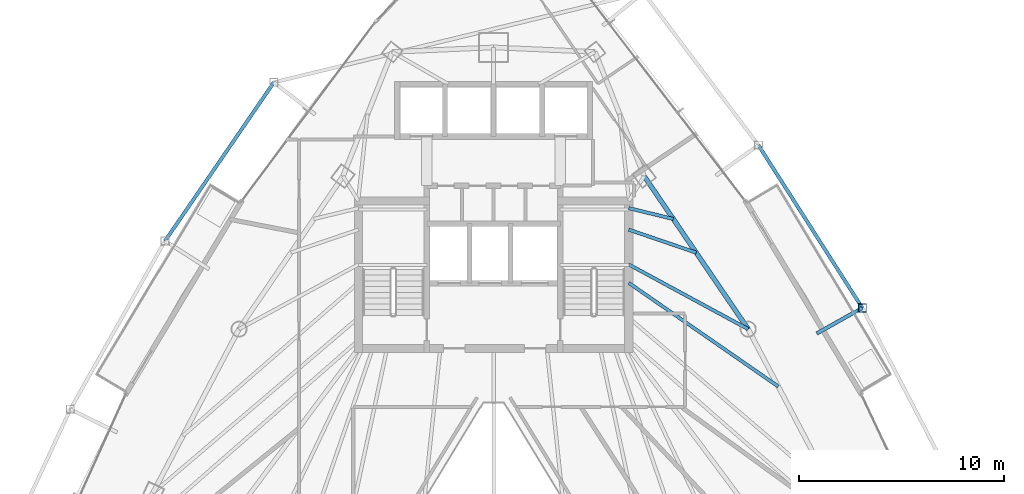
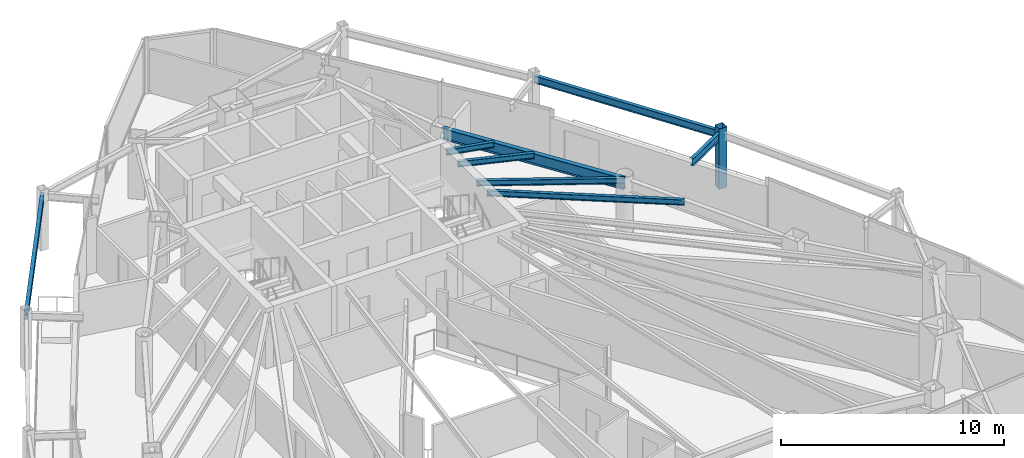
# One storey, part 17 of 29: 8 beams, 1 member.
"""IFC4 building model written with IfcOpenShell, lengths in metres."""

import ifcopenshell
import ifcopenshell.guid

model = None  # the IFC model being written
_history = None  # IfcOwnerHistory: only IFC2X3 demands one
_inside = {}  # id of a spatial element -> (the spatial element, [elements in it])
_under = {}  # id of a project, library or spatial element -> (it, [spatial elements below it])
_declared = {}  # id of a project -> (the project, [libraries it declares])
_typed = {}  # id of a type object -> (the type object, [elements of that type])
_made_of = {}  # id of a material, layer set ... -> (it, [elements and type objects made of it])


def new_model(schema):
    """Start an empty IFC model of exactly this schema.

    Asked for "IFC4X3", IfcOpenShell would pick the latest addendum, in which some entities
    have other attributes; the version numbers below select the first issue.
    IFC2X3 requires an IfcOwnerHistory on every rooted entity: one is made here for all.
    """
    global model, _history
    if schema == "IFC4X3":
        model = ifcopenshell.file(schema_version=(4, 3, 0, 0))
    else:
        model = ifcopenshell.file(schema=schema)
    _inside.clear()
    _under.clear()
    _declared.clear()
    _typed.clear()
    _made_of.clear()
    _history = None
    if model.schema == "IFC2X3":
        org = make("IfcOrganization", Name="unknown")
        user = make(
            "IfcPersonAndOrganization",
            ThePerson=make("IfcPerson", FamilyName="unknown"),
            TheOrganization=org,
        )
        app = make(
            "IfcApplication",
            ApplicationDeveloper=org,
            Version="unknown",
            ApplicationFullName="unknown",
            ApplicationIdentifier="unknown",
        )
        _history = make(
            "IfcOwnerHistory",
            OwningUser=user,
            OwningApplication=app,
            ChangeAction="ADDED",
            CreationDate=0,
        )
    return model


def make(cls, **values):
    """One entity of the class cls with the attributes given. An attribute that is None is left unset."""
    return model.create_entity(
        cls, **{name: value for name, value in values.items() if value is not None}
    )


def rooted(cls, **values):
    """An entity with a GlobalId (a new one), such as an element, a storey or a relation."""
    return make(cls, GlobalId=ifcopenshell.guid.new(), OwnerHistory=_history, **values)


def si_unit(unit_type, name, prefix=None):
    """IfcSIUnit, for example si_unit("LENGTHUNIT", "METRE", prefix="MILLI")."""
    return make("IfcSIUnit", UnitType=unit_type, Prefix=prefix, Name=name)


def assignment(units):
    """IfcUnitAssignment: the units of a project."""
    return None if units is None else make("IfcUnitAssignment", Units=units)


def point(xyz):
    """IfcCartesianPoint."""
    return None if xyz is None else make("IfcCartesianPoint", Coordinates=xyz)


def direction(xyz):
    """IfcDirection."""
    return None if xyz is None else make("IfcDirection", DirectionRatios=xyz)


def frame(location, z_axis=None, x_axis=None):
    """IfcAxis2Placement3D, a coordinate frame: its origin and axes. An axis left out is left unset."""
    return make(
        "IfcAxis2Placement3D",
        Location=point(location),
        Axis=direction(z_axis),
        RefDirection=direction(x_axis),
    )


def frame_2d(location, x_axis=None):
    """IfcAxis2Placement2D, a coordinate frame in the plane: its origin and x axis."""
    return make(
        "IfcAxis2Placement2D", Location=point(location), RefDirection=direction(x_axis)
    )


def origin():
    """The frame at (0, 0, 0) with its axes left unset."""
    return frame((0.0, 0.0, 0.0))


def origin_2d():
    """The frame at (0, 0) in the plane with its x axis left unset."""
    return frame_2d((0.0, 0.0))


def place(relative_to, where):
    """IfcLocalPlacement: puts the frame where relative to a parent placement (None: the world)."""
    return make(
        "IfcLocalPlacement", PlacementRelTo=relative_to, RelativePlacement=where
    )


def context(
    kind, dimensions, precision=None, world=None, true_north=None, identifier=None
):
    """IfcGeometricRepresentationContext, for example the 3D "Model" context."""
    return make(
        "IfcGeometricRepresentationContext",
        ContextIdentifier=identifier,
        ContextType=kind,
        CoordinateSpaceDimension=dimensions,
        Precision=precision,
        WorldCoordinateSystem=world,
        TrueNorth=true_north,
    )


def subcontext(parent, identifier, kind, view, scale=None):
    """IfcGeometricRepresentationSubContext, for example "Body" below "Model"."""
    return make(
        "IfcGeometricRepresentationSubContext",
        ContextIdentifier=identifier,
        ContextType=kind,
        ParentContext=parent,
        TargetScale=scale,
        TargetView=view,
    )


def project(units=None, contexts=None):
    """IfcProject with its units and contexts."""
    return rooted(
        "IfcProject",
        Name="project",
        RepresentationContexts=contexts,
        UnitsInContext=assignment(units),
    )


def spatial(cls, under=None, at=None, **own):
    """A site, building, storey or space (cls), placed at a placement, below another one or the project."""
    s = rooted(cls, ObjectPlacement=at, **own)
    if under is not None:
        _under.setdefault(under.id(), (under, []))[1].append(s)
    return s


def profile(cls, at=None, kind="AREA", **sizes):
    """A parametric profile (cls). Its sizes go by their IFC names, for example OverallWidth=200.0."""
    return make(cls, ProfileType=kind, Position=at, **sizes)


def hollow_rectangle(**sizes):
    """IfcRectangleHollowProfileDef."""
    return profile("IfcRectangleHollowProfileDef", **sizes)


def i_section(**sizes):
    """IfcIShapeProfileDef."""
    return profile("IfcIShapeProfileDef", **sizes)


def extrude(swept, where, along, depth):
    """IfcExtrudedAreaSolid: the profile swept, set in the frame where, extruded along a direction by depth."""
    return make(
        "IfcExtrudedAreaSolid",
        SweptArea=swept,
        Position=where,
        ExtrudedDirection=direction(along),
        Depth=depth,
    )


def shape(context_of_items, identifier, shape_type, items):
    """IfcShapeRepresentation: the items that make up one representation, for example the "Body"."""
    return make(
        "IfcShapeRepresentation",
        ContextOfItems=context_of_items,
        RepresentationIdentifier=identifier,
        RepresentationType=shape_type,
        Items=items,
    )


def material(Name=None, Category=None):
    """IfcMaterial."""
    return make("IfcMaterial", Name=Name, Category=Category)


def material_profile(
    of_material, cross_section, Name=None, Category=None, Priority=None
):
    """IfcMaterialProfile: a cross section and its material."""
    return make(
        "IfcMaterialProfile",
        Name=Name,
        Material=of_material,
        Profile=cross_section,
        Priority=Priority,
        Category=Category,
    )


def profile_set(profiles, Name=None, composite=None):
    """IfcMaterialProfileSet."""
    return make(
        "IfcMaterialProfileSet",
        Name=Name,
        MaterialProfiles=profiles,
        CompositeProfile=composite,
    )


def made_of(thing, what):
    """Note that an element or type object is made of a material, layer set ...; save() writes the relation."""
    if what is not None:
        _made_of.setdefault(what.id(), (what, []))[1].append(thing)
    return thing


def type_object(cls, material=None, **own):
    """A type object (cls), such as IfcWallType, which elements share."""
    return made_of(rooted(cls, **own), material)


def element(
    cls,
    number,
    at=None,
    inside=None,
    cuts=None,
    type_object=None,
    material=None,
    context=None,
    identifier="Body",
    shape_type=None,
    held_by="IfcProductDefinitionShape",
    body=None,
    shapes=None,
    **own,
):
    """One element of the class cls, such as IfcWall. Its Tag is "e" and its number.

    at: its placement. inside: the storey or other place that contains it. cuts: it is an
    opening in that element (IfcRelVoidsElement). A single representation is given by context,
    identifier, shape_type and body (its items); several are given by shapes. held_by: the class
    of the entity that holds the representations. save() writes the other relations.
    """
    e = rooted(cls, Tag="e%d" % number, ObjectPlacement=at, **own)
    if body is not None:
        shapes = [shape(context, identifier, shape_type, body)]
    if shapes is not None:
        e.Representation = make(held_by, Representations=shapes)
    if inside is not None:
        _inside.setdefault(inside.id(), (inside, []))[1].append(e)
    if cuts is not None:
        rooted(
            "IfcRelVoidsElement", RelatingBuildingElement=cuts, RelatedOpeningElement=e
        )
    if type_object is not None:
        _typed.setdefault(type_object.id(), (type_object, []))[1].append(e)
    return made_of(e, material)


def aggregate(whole, parts):
    """IfcRelAggregates: a whole, such as a stair, and the parts it consists of."""
    return rooted("IfcRelAggregates", RelatingObject=whole, RelatedObjects=parts)


def save(model, path):
    """Write the relations noted so far, then the file.

    IfcRelAggregates (storeys below a building ...), IfcRelContainedInSpatialStructure (elements
    in a storey), IfcRelDefinesByType, IfcRelAssociatesMaterial and IfcRelDeclares: one each for
    every whole, place, type object, material and project.
    """
    for whole, parts in _under.values():
        aggregate(whole, parts)
    for where, things in _inside.values():
        rooted(
            "IfcRelContainedInSpatialStructure",
            RelatedElements=things,
            RelatingStructure=where,
        )
    for kind, things in _typed.values():
        rooted("IfcRelDefinesByType", RelatedObjects=things, RelatingType=kind)
    for what, things in _made_of.values():
        rooted("IfcRelAssociatesMaterial", RelatedObjects=things, RelatingMaterial=what)
    for by, libraries in _declared.values():
        rooted("IfcRelDeclares", RelatingContext=by, RelatedDefinitions=libraries)
    model.write(path)


model = new_model("IFC4")

# Units and contexts
model_context = context("Model", 3, precision=1e-05, world=origin(), true_north=direction((0.0, 1.0)))
body_context = subcontext(model_context, "Body", "Model", "MODEL_VIEW")
ifc_project = project(units=[si_unit("LENGTHUNIT", "METRE"), si_unit("AREAUNIT", "SQUARE_METRE"), si_unit("VOLUMEUNIT", "CUBIC_METRE"), si_unit("PLANEANGLEUNIT", "RADIAN"), si_unit("MASSUNIT", "GRAM", prefix="KILO")], contexts=[model_context])

# Site, building, storey
site_placement = place(None, origin())
site = spatial("IfcSite", under=ifc_project, at=site_placement, CompositionType="ELEMENT")
building_placement = place(site_placement, origin())
building = spatial("IfcBuilding", under=site, at=building_placement, Name="Orvanel Arch Residences", CompositionType="ELEMENT")
storey_placement = place(building_placement, frame((0.0, 0.0, 160.550048828125)))
storey = spatial("IfcBuildingStorey", under=building, at=storey_placement, Name="L45", CompositionType="ELEMENT", Elevation=160.550048828125)

# Beams
ifc_material_1 = material(Name="Structural steel AS/NZS 3679.1 Grade 300 (300 MPa)", Category="steel")
ifc_material_profile_1 = material_profile(ifc_material_1, i_section(OverallWidth=0.1650390625, OverallDepth=0.303955078125, WebThickness=0.006103515625, FlangeThickness=0.01025390625, at=origin_2d()), Name="310UB40.4")
ifc_profile_set_1 = profile_set([ifc_material_profile_1], Name="Structural steel AS/NZS 3679.1 Grade 300 (300 MPa)")
beam_type_1 = type_object("IfcBeamType", Name="BJ-310UB", PredefinedType="JOIST", material=ifc_profile_set_1)
beam_1_placement = place(storey_placement, frame((39.60009765625, 30.800048828125, 2.907958984375), z_axis=(0.87925534649, -0.476350748576, 0.0), x_axis=(0.476350748576, 0.87925534649, 0.0)))
element("IfcBeam", 1, at=beam_1_placement, inside=storey, type_object=beam_type_1, Name="L45 NE Wing Floor Joist", PredefinedType="JOIST", context=body_context, shape_type="SweptSolid", body=[
    extrude(i_section(OverallWidth=0.1650390625, OverallDepth=0.303955078125, WebThickness=0.006103515625, FlangeThickness=0.01025390625, at=origin_2d()), origin(), (0.0, 0.0, 1.0), 6.631591796875),
])
beam_2_placement = place(storey_placement, frame((39.60009765625, 32.5, 2.907958984375), z_axis=(0.9464126781, -0.322959815969, 0.0), x_axis=(0.322959815969, 0.9464126781, 0.0)))
element("IfcBeam", 2, at=beam_2_placement, inside=storey, type_object=beam_type_1, Name="L45 ENE Wing Floor Joist", PredefinedType="JOIST", context=body_context, shape_type="SweptSolid", body=[
    extrude(i_section(OverallWidth=0.1650390625, OverallDepth=0.303955078125, WebThickness=0.006103515625, FlangeThickness=0.01025390625, at=origin_2d()), origin(), (0.0, 0.0, 1.0), 3.477294921875),
])
beam_3_placement = place(storey_placement, frame((39.60009765625, 29.89990234375, 2.907958984375), z_axis=(0.822002180325, -0.569484341787, 0.0), x_axis=(0.569484341787, 0.822002180325, 0.0)))
element("IfcBeam", 3, at=beam_3_placement, inside=storey, type_object=beam_type_1, Name="L45 CTE Wing Floor Joist", PredefinedType="JOIST", context=body_context, shape_type="SweptSolid", body=[
    extrude(i_section(OverallWidth=0.1650390625, OverallDepth=0.303955078125, WebThickness=0.006103515625, FlangeThickness=0.01025390625, at=origin_2d()), origin(), (0.0, 0.0, 1.0), 8.88330078125),
])
beam_4_placement = place(storey_placement, frame((39.60009765625, 33.550048828125, 2.907958984375), z_axis=(0.971638471014, -0.236471312521, 0.0), x_axis=(0.236471312521, 0.971638471014, 0.0)))
element("IfcBeam", 4, at=beam_4_placement, inside=storey, type_object=beam_type_1, Name="L45 JADD4 Wing Floor Joist", PredefinedType="JOIST", context=body_context, shape_type="SweptSolid", body=[
    extrude(i_section(OverallWidth=0.1650390625, OverallDepth=0.303955078125, WebThickness=0.006103515625, FlangeThickness=0.01025390625, at=origin_2d()), origin(), (0.0, 0.0, 1.0), 2.2373046875),
])
ifc_material_profile_2 = material_profile(ifc_material_1, i_section(OverallWidth=0.177978515625, OverallDepth=0.406005859375, WebThickness=0.0078125, FlangeThickness=0.0126953125, at=origin_2d()), Name="410UB59.7")
ifc_profile_set_2 = profile_set([ifc_material_profile_2], Name="Structural steel AS/NZS 3679.1 Grade 300 (300 MPa)")
beam_type_2 = type_object("IfcBeamType", Name="OB-410UB-EXT", PredefinedType="SPANDREL", material=ifc_profile_set_2)
beam_5_placement = place(storey_placement, frame((22.27392578125, 39.69189453125, 2.85693359375), z_axis=(-0.565878877775, -0.824488384205, 0.0), x_axis=(0.824488384205, -0.565878877775, 0.0)))
element("IfcBeam", 5, at=beam_5_placement, inside=storey, type_object=beam_type_2, Name="L45 Outer Perimeter Floor Ring Beam 01", PredefinedType="SPANDREL", context=body_context, shape_type="SweptSolid", body=[
    extrude(i_section(OverallWidth=0.177978515625, OverallDepth=0.406005859375, WebThickness=0.0078125, FlangeThickness=0.0126953125, at=origin_2d()), origin(), (0.0, 0.0, 1.0), 9.392333984375),
])
beam_6_placement = place(storey_placement, frame((48.778076171875, 27.429931640625, 2.85693359375), z_axis=(0.871803026856, 0.489856593673, 0.0), x_axis=(-0.489856593673, 0.871803026856, 0.0)))
element("IfcBeam", 6, at=beam_6_placement, inside=storey, type_object=beam_type_2, Name="L45 Outer Frame Radial Tie Beam 10", PredefinedType="SPANDREL", context=body_context, shape_type="SweptSolid", body=[
    extrude(i_section(OverallWidth=0.177978515625, OverallDepth=0.406005859375, WebThickness=0.0078125, FlangeThickness=0.0126953125, at=origin_2d()), origin(), (0.0, 0.0, 1.0), 2.5498046875),
])
beam_7_placement = place(storey_placement, frame((51.0009765625, 28.678955078125, 2.85693359375), z_axis=(-0.538014699336, 0.842935456188, 0.0), x_axis=(-0.842935456188, -0.538014699336, 0.0)))
element("IfcBeam", 7, at=beam_7_placement, inside=storey, type_object=beam_type_2, Name="L45 Outer Perimeter Floor Ring Beam 10", PredefinedType="SPANDREL", context=body_context, shape_type="SweptSolid", body=[
    extrude(i_section(OverallWidth=0.177978515625, OverallDepth=0.406005859375, WebThickness=0.0078125, FlangeThickness=0.0126953125, at=origin_2d()), origin(), (0.0, 0.0, 1.0), 9.425537109375),
])
ifc_material_profile_3 = material_profile(ifc_material_1, i_section(OverallWidth=0.22900390625, OverallDepth=0.612060546875, WebThickness=0.011962890625, FlangeThickness=0.01953125, at=origin_2d()), Name="610UB125")
ifc_profile_set_3 = profile_set([ifc_material_profile_3], Name="Structural steel AS/NZS 3679.1 Grade 300 (300 MPa)")
beam_type_3 = type_object("IfcBeamType", Name="SP-610UB", PredefinedType="SPANDREL", material=ifc_profile_set_3)
beam_8_placement = place(storey_placement, frame((45.430908203125, 27.64111328125, 2.75390625), z_axis=(-0.562154793153, 0.827032035978, 0.0), x_axis=(-0.827032035978, -0.562154793153, 0.0)))
element("IfcBeam", 8, at=beam_8_placement, inside=storey, type_object=beam_type_3, Name="L45 Perimeter Spandrel Beam 12", PredefinedType="SPANDREL", context=body_context, shape_type="SweptSolid", body=[
    extrude(i_section(OverallWidth=0.22900390625, OverallDepth=0.612060546875, WebThickness=0.011962890625, FlangeThickness=0.01953125, at=origin_2d()), origin(), (0.0, 0.0, 1.0), 9.03466796875),
])

# Member
ifc_material_2 = material(Name="Structural steel AS/NZS 1163 C450L0 (Grade 450)", Category="steel")
ifc_material_profile_4 = material_profile(ifc_material_2, hollow_rectangle(XDim=0.39990234375, YDim=0.39990234375, WallThickness=0.01611328125, at=origin_2d()), Name="SHS400x400x16")
ifc_profile_set_4 = profile_set([ifc_material_profile_4], Name="Structural steel AS/NZS 1163 C450L0 (Grade 450)")
member_type = type_object("IfcMemberType", Name="ST-400SHS-EXT", PredefinedType="STRUT", material=ifc_profile_set_4)
member_placement = place(storey_placement, frame((51.0009765625, 28.678955078125, 0.0), z_axis=(0.0, 0.0, 1.0), x_axis=(1.0, 0.0, 0.0)))
element("IfcMember", 9, at=member_placement, inside=storey, type_object=member_type, Name="L45 Outer Perimeter Frame Post 10", PredefinedType="STRUT", context=body_context, shape_type="SweptSolid", body=[
    extrude(hollow_rectangle(XDim=0.39990234375, YDim=0.39990234375, WallThickness=0.01611328125, at=origin_2d()), origin(), (0.0, 0.0, 1.0), 3.300048828125),
])

save(model, "model.ifc")
